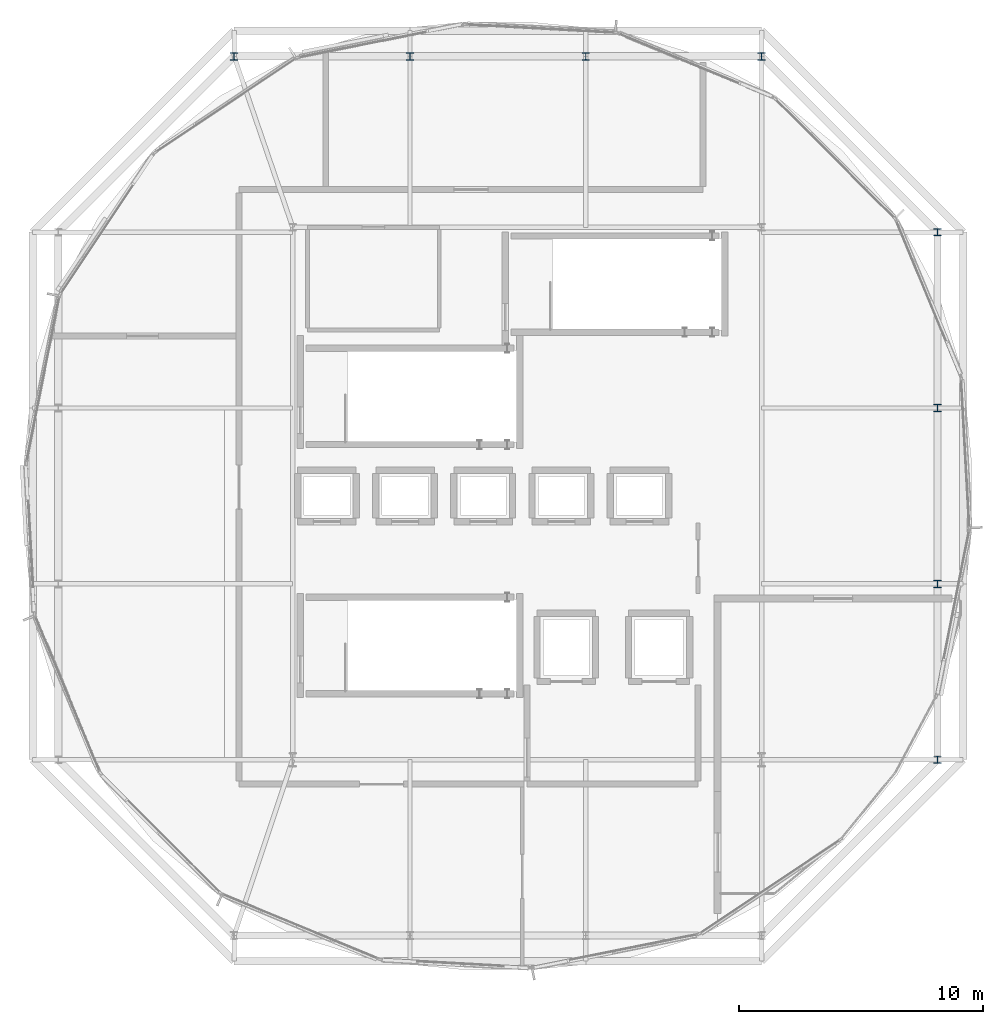
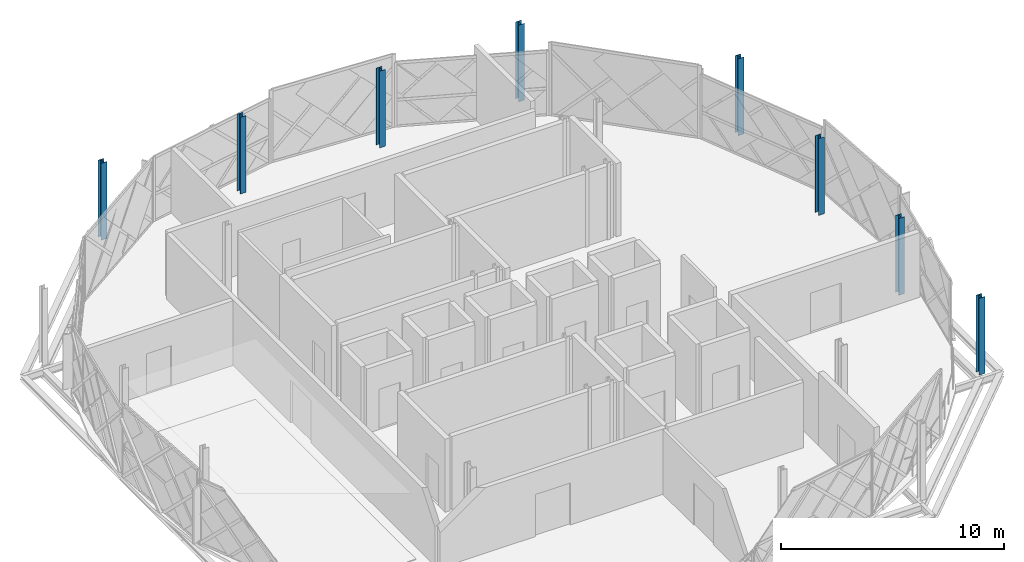
# One storey, part 4 of 15: 8 columns.
"""IFC4 building model written with IfcOpenShell, lengths in metres."""

import ifcopenshell
import ifcopenshell.guid

model = None  # the IFC model being written
_history = None  # IfcOwnerHistory: only IFC2X3 demands one
_inside = {}  # id of a spatial element -> (the spatial element, [elements in it])
_under = {}  # id of a project, library or spatial element -> (it, [spatial elements below it])
_declared = {}  # id of a project -> (the project, [libraries it declares])
_typed = {}  # id of a type object -> (the type object, [elements of that type])
_made_of = {}  # id of a material, layer set ... -> (it, [elements and type objects made of it])


def new_model(schema):
    """Start an empty IFC model of exactly this schema.

    Asked for "IFC4X3", IfcOpenShell would pick the latest addendum, in which some entities
    have other attributes; the version numbers below select the first issue.
    IFC2X3 requires an IfcOwnerHistory on every rooted entity: one is made here for all.
    """
    global model, _history
    if schema == "IFC4X3":
        model = ifcopenshell.file(schema_version=(4, 3, 0, 0))
    else:
        model = ifcopenshell.file(schema=schema)
    _inside.clear()
    _under.clear()
    _declared.clear()
    _typed.clear()
    _made_of.clear()
    _history = None
    if model.schema == "IFC2X3":
        org = make("IfcOrganization", Name="unknown")
        user = make(
            "IfcPersonAndOrganization",
            ThePerson=make("IfcPerson", FamilyName="unknown"),
            TheOrganization=org,
        )
        app = make(
            "IfcApplication",
            ApplicationDeveloper=org,
            Version="unknown",
            ApplicationFullName="unknown",
            ApplicationIdentifier="unknown",
        )
        _history = make(
            "IfcOwnerHistory",
            OwningUser=user,
            OwningApplication=app,
            ChangeAction="ADDED",
            CreationDate=0,
        )
    return model


def make(cls, **values):
    """One entity of the class cls with the attributes given. An attribute that is None is left unset."""
    return model.create_entity(
        cls, **{name: value for name, value in values.items() if value is not None}
    )


def rooted(cls, **values):
    """An entity with a GlobalId (a new one), such as an element, a storey or a relation."""
    return make(cls, GlobalId=ifcopenshell.guid.new(), OwnerHistory=_history, **values)


def si_unit(unit_type, name, prefix=None):
    """IfcSIUnit, for example si_unit("LENGTHUNIT", "METRE", prefix="MILLI")."""
    return make("IfcSIUnit", UnitType=unit_type, Prefix=prefix, Name=name)


def assignment(units):
    """IfcUnitAssignment: the units of a project."""
    return None if units is None else make("IfcUnitAssignment", Units=units)


def point(xyz):
    """IfcCartesianPoint."""
    return None if xyz is None else make("IfcCartesianPoint", Coordinates=xyz)


def direction(xyz):
    """IfcDirection."""
    return None if xyz is None else make("IfcDirection", DirectionRatios=xyz)


def frame(location, z_axis=None, x_axis=None):
    """IfcAxis2Placement3D, a coordinate frame: its origin and axes. An axis left out is left unset."""
    return make(
        "IfcAxis2Placement3D",
        Location=point(location),
        Axis=direction(z_axis),
        RefDirection=direction(x_axis),
    )


def frame_2d(location, x_axis=None):
    """IfcAxis2Placement2D, a coordinate frame in the plane: its origin and x axis."""
    return make(
        "IfcAxis2Placement2D", Location=point(location), RefDirection=direction(x_axis)
    )


def origin():
    """The frame at (0, 0, 0) with its axes left unset."""
    return frame((0.0, 0.0, 0.0))


def origin_2d():
    """The frame at (0, 0) in the plane with its x axis left unset."""
    return frame_2d((0.0, 0.0))


def place(relative_to, where):
    """IfcLocalPlacement: puts the frame where relative to a parent placement (None: the world)."""
    return make(
        "IfcLocalPlacement", PlacementRelTo=relative_to, RelativePlacement=where
    )


def context(
    kind, dimensions, precision=None, world=None, true_north=None, identifier=None
):
    """IfcGeometricRepresentationContext, for example the 3D "Model" context."""
    return make(
        "IfcGeometricRepresentationContext",
        ContextIdentifier=identifier,
        ContextType=kind,
        CoordinateSpaceDimension=dimensions,
        Precision=precision,
        WorldCoordinateSystem=world,
        TrueNorth=true_north,
    )


def subcontext(parent, identifier, kind, view, scale=None):
    """IfcGeometricRepresentationSubContext, for example "Body" below "Model"."""
    return make(
        "IfcGeometricRepresentationSubContext",
        ContextIdentifier=identifier,
        ContextType=kind,
        ParentContext=parent,
        TargetScale=scale,
        TargetView=view,
    )


def project(units=None, contexts=None):
    """IfcProject with its units and contexts."""
    return rooted(
        "IfcProject",
        Name="project",
        RepresentationContexts=contexts,
        UnitsInContext=assignment(units),
    )


def spatial(cls, under=None, at=None, **own):
    """A site, building, storey or space (cls), placed at a placement, below another one or the project."""
    s = rooted(cls, ObjectPlacement=at, **own)
    if under is not None:
        _under.setdefault(under.id(), (under, []))[1].append(s)
    return s


def profile(cls, at=None, kind="AREA", **sizes):
    """A parametric profile (cls). Its sizes go by their IFC names, for example OverallWidth=200.0."""
    return make(cls, ProfileType=kind, Position=at, **sizes)


def i_section(**sizes):
    """IfcIShapeProfileDef."""
    return profile("IfcIShapeProfileDef", **sizes)


def extrude(swept, where, along, depth):
    """IfcExtrudedAreaSolid: the profile swept, set in the frame where, extruded along a direction by depth."""
    return make(
        "IfcExtrudedAreaSolid",
        SweptArea=swept,
        Position=where,
        ExtrudedDirection=direction(along),
        Depth=depth,
    )


def shape(context_of_items, identifier, shape_type, items):
    """IfcShapeRepresentation: the items that make up one representation, for example the "Body"."""
    return make(
        "IfcShapeRepresentation",
        ContextOfItems=context_of_items,
        RepresentationIdentifier=identifier,
        RepresentationType=shape_type,
        Items=items,
    )


def material(Name=None, Category=None):
    """IfcMaterial."""
    return make("IfcMaterial", Name=Name, Category=Category)


def material_profile(
    of_material, cross_section, Name=None, Category=None, Priority=None
):
    """IfcMaterialProfile: a cross section and its material."""
    return make(
        "IfcMaterialProfile",
        Name=Name,
        Material=of_material,
        Profile=cross_section,
        Priority=Priority,
        Category=Category,
    )


def profile_set(profiles, Name=None, composite=None):
    """IfcMaterialProfileSet."""
    return make(
        "IfcMaterialProfileSet",
        Name=Name,
        MaterialProfiles=profiles,
        CompositeProfile=composite,
    )


def made_of(thing, what):
    """Note that an element or type object is made of a material, layer set ...; save() writes the relation."""
    if what is not None:
        _made_of.setdefault(what.id(), (what, []))[1].append(thing)
    return thing


def type_object(cls, material=None, **own):
    """A type object (cls), such as IfcWallType, which elements share."""
    return made_of(rooted(cls, **own), material)


def element(
    cls,
    number,
    at=None,
    inside=None,
    cuts=None,
    type_object=None,
    material=None,
    context=None,
    identifier="Body",
    shape_type=None,
    held_by="IfcProductDefinitionShape",
    body=None,
    shapes=None,
    **own,
):
    """One element of the class cls, such as IfcWall. Its Tag is "e" and its number.

    at: its placement. inside: the storey or other place that contains it. cuts: it is an
    opening in that element (IfcRelVoidsElement). A single representation is given by context,
    identifier, shape_type and body (its items); several are given by shapes. held_by: the class
    of the entity that holds the representations. save() writes the other relations.
    """
    e = rooted(cls, Tag="e%d" % number, ObjectPlacement=at, **own)
    if body is not None:
        shapes = [shape(context, identifier, shape_type, body)]
    if shapes is not None:
        e.Representation = make(held_by, Representations=shapes)
    if inside is not None:
        _inside.setdefault(inside.id(), (inside, []))[1].append(e)
    if cuts is not None:
        rooted(
            "IfcRelVoidsElement", RelatingBuildingElement=cuts, RelatedOpeningElement=e
        )
    if type_object is not None:
        _typed.setdefault(type_object.id(), (type_object, []))[1].append(e)
    return made_of(e, material)


def aggregate(whole, parts):
    """IfcRelAggregates: a whole, such as a stair, and the parts it consists of."""
    return rooted("IfcRelAggregates", RelatingObject=whole, RelatedObjects=parts)


def save(model, path):
    """Write the relations noted so far, then the file.

    IfcRelAggregates (storeys below a building ...), IfcRelContainedInSpatialStructure (elements
    in a storey), IfcRelDefinesByType, IfcRelAssociatesMaterial and IfcRelDeclares: one each for
    every whole, place, type object, material and project.
    """
    for whole, parts in _under.values():
        aggregate(whole, parts)
    for where, things in _inside.values():
        rooted(
            "IfcRelContainedInSpatialStructure",
            RelatedElements=things,
            RelatingStructure=where,
        )
    for kind, things in _typed.values():
        rooted("IfcRelDefinesByType", RelatedObjects=things, RelatingType=kind)
    for what, things in _made_of.values():
        rooted("IfcRelAssociatesMaterial", RelatedObjects=things, RelatingMaterial=what)
    for by, libraries in _declared.values():
        rooted("IfcRelDeclares", RelatingContext=by, RelatedDefinitions=libraries)
    model.write(path)


model = new_model("IFC4")

# Units and contexts
model_context = context("Model", 3, precision=1e-05, world=origin(), true_north=direction((0.0, 1.0)))
body_context = subcontext(model_context, "Body", "Model", "MODEL_VIEW")
ifc_project = project(units=[si_unit("LENGTHUNIT", "METRE"), si_unit("AREAUNIT", "SQUARE_METRE"), si_unit("VOLUMEUNIT", "CUBIC_METRE"), si_unit("PLANEANGLEUNIT", "RADIAN"), si_unit("MASSUNIT", "GRAM", prefix="KILO")], contexts=[model_context])

# Site, building, storey
site_placement = place(None, origin())
site = spatial("IfcSite", under=ifc_project, at=site_placement, CompositionType="ELEMENT")
building_placement = place(site_placement, origin())
building = spatial("IfcBuilding", under=site, at=building_placement, Name="Zevrakil Square Congress Hotel", CompositionType="ELEMENT")
storey_placement = place(building_placement, frame((0.0, 0.0, 41.89990234375)))
storey = spatial("IfcBuildingStorey", under=building, at=storey_placement, Name="L12", CompositionType="ELEMENT", Elevation=41.89990234375)

# Columns
ifc_material = material(Name="Steel S355", Category="steel")
ifc_material_profile = material_profile(ifc_material, i_section(OverallWidth=0.300048828125, OverallDepth=0.300048828125, WebThickness=0.010986328125, FlangeThickness=0.01904296875, FilletRadius=0.027099609375, at=origin_2d()), Name="HEB 300")
ifc_profile_set = profile_set([ifc_material_profile], Name="Steel S355")
column_type = type_object("IfcColumnType", Name="COL-HEB300", PredefinedType="COLUMN", material=ifc_profile_set)
for number, where, z_axis, x_axis, name in (
    (1, (163.199951171875, 16.800048828125, 0.0), (0.0, 0.0, 1.0), (1.0, 0.0, 0.0), "L12 drum column DC05"),
    (2, (163.199951171875, 24.0, 0.0), (0.0, 0.0, 1.0), (1.0, 0.0, 0.0), "L12 drum column DC06"),
    (3, (163.199951171875, 31.199951171875, 0.0), (0.0, 0.0, 1.0), (1.0, 0.0, 0.0), "L12 drum column DC07"),
    (4, (163.199951171875, 38.39990234375, 0.0), (0.0, 0.0, 1.0), (1.0, 0.0, 0.0), "L12 drum column DC08"),
    (5, (156.0, 45.60009765625, 0.0), (0.0, 0.0, 1.0), (1.0, 0.0, 0.0), "L12 drum column DC09"),
    (6, (148.800048828125, 45.60009765625, 0.0), (0.0, 0.0, 1.0), (1.0, 0.0, 0.0), "L12 drum column DC10"),
    (7, (141.60009765625, 45.60009765625, 0.0), (0.0, 0.0, 1.0), (1.0, 0.0, 0.0), "L12 drum column DC11"),
    (8, (134.39990234375, 45.60009765625, 0.0), (0.0, 0.0, 1.0), (1.0, 0.0, 0.0), "L12 drum column DC12"),
):
    element("IfcColumn", number, at=place(storey_placement, frame(where, z_axis=z_axis, x_axis=x_axis)), inside=storey, type_object=column_type, Name=name, PredefinedType="COLUMN", context=body_context, shape_type="SweptSolid", body=[
        extrude(i_section(OverallWidth=0.300048828125, OverallDepth=0.300048828125, WebThickness=0.010986328125, FlangeThickness=0.01904296875, FilletRadius=0.027099609375, at=origin_2d()), origin(), (0.0, 0.0, 1.0), 4.2001953125),
    ])

save(model, "model.ifc")
